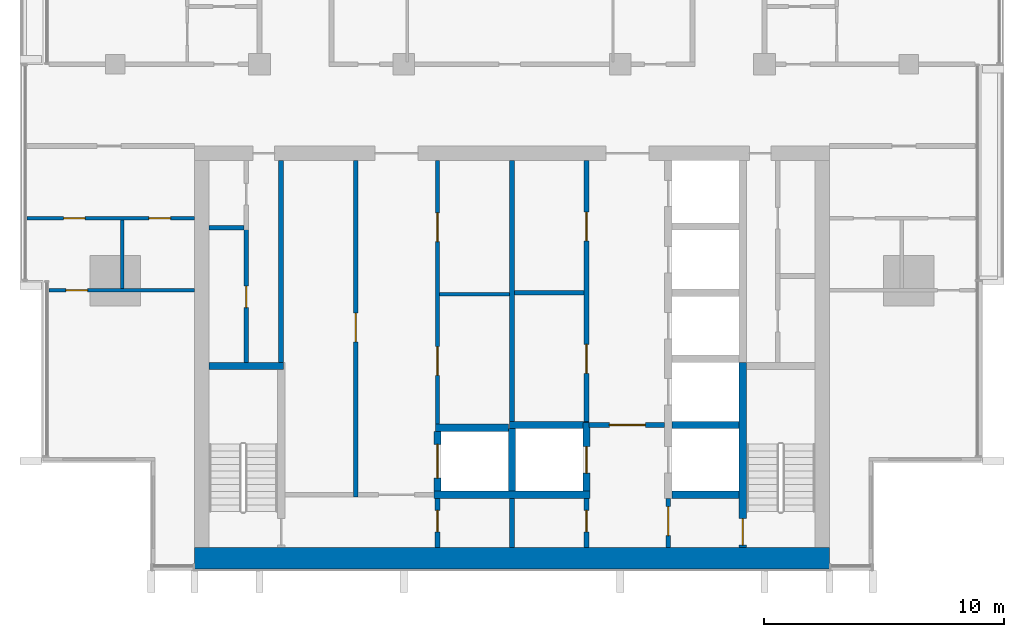
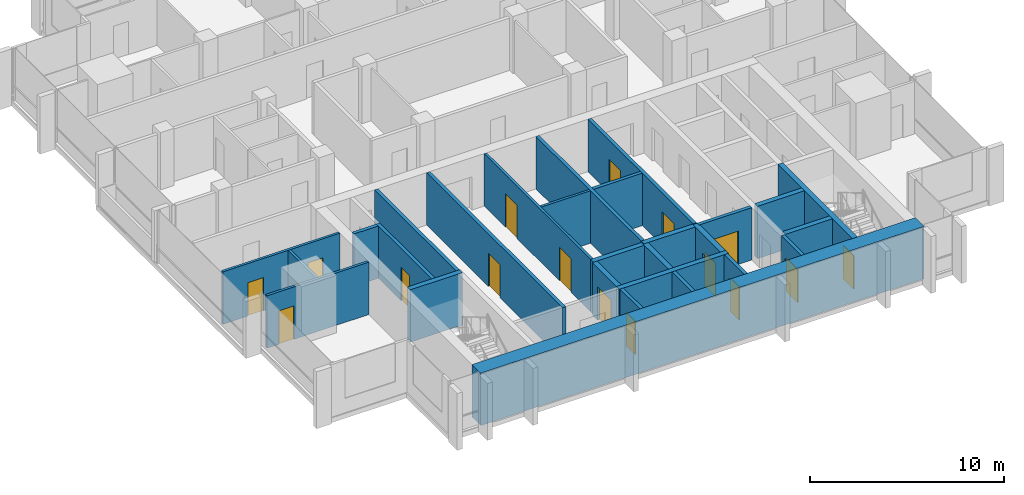
# One storey, part 7 of 16: 28 walls, 16 doors, 16 openings.
"""IFC4 building model written with IfcOpenShell, lengths in metres."""

from ifc_helpers import new_model, si_unit, direction, frame, frame_2d, origin, place, context, subcontext, project, spatial, rectangle, extrude, material, layer, layer_set, type_object, element, fill, save


model = new_model("IFC4")

# Units and contexts
model_context = context("Model", 3, precision=1e-05, world=origin(), true_north=direction((0.0, 1.0)))
body_context = subcontext(model_context, "Body", "Model", "MODEL_VIEW")
ifc_project = project(units=[si_unit("LENGTHUNIT", "METRE"), si_unit("AREAUNIT", "SQUARE_METRE"), si_unit("VOLUMEUNIT", "CUBIC_METRE"), si_unit("PLANEANGLEUNIT", "RADIAN"), si_unit("MASSUNIT", "GRAM", prefix="KILO")], contexts=[model_context])

# Site, building, storey
site_placement = place(None, origin())
site = spatial("IfcSite", under=ifc_project, at=site_placement, CompositionType="ELEMENT")
building_placement = place(site_placement, origin())
building = spatial("IfcBuilding", under=site, at=building_placement, Name="Finial Court Residences", CompositionType="ELEMENT")
storey_placement = place(building_placement, frame((0.0, 0.0, 241.10009765625)))
storey = spatial("IfcBuildingStorey", under=building, at=storey_placement, Name="L61", CompositionType="ELEMENT", Elevation=241.10009765625)

# Wall
ifc_material_1 = material(Name="Fire-rated gypsum board partition")
ifc_layer_1 = layer(ifc_material_1, 0.14990234375)
ifc_layer_set_1 = layer_set([ifc_layer_1], Name="Core room partition 150 EI 60")
wall_type_1 = type_object("IfcWallType", Name="Core room partition 150 EI 60", PredefinedType="PARTITIONING", material=ifc_layer_set_1)
wall_1_placement = place(storey_placement, frame((-3.02490234375, -14.06005859375, 0.0), z_axis=(0.0, 0.0, 1.0), x_axis=(1.0, 0.0, 0.0)))
element("IfcWall", 1, at=wall_1_placement, inside=storey, type_object=wall_type_1, Name="Core partition L61-12", PredefinedType="PARTITIONING", context=body_context, shape_type="SweptSolid", body=[
    extrude(rectangle(XDim=2.9248046875, YDim=0.14990234375, at=frame_2d((1.46240234375, 0.0))), origin(), (0.0, 0.0, 1.0), 3.2998046875),
])

# Wall, openings, doors
wall_2_placement = place(storey_placement, frame((-3.10009765625, -8.5, 0.0), z_axis=(0.0, 0.0, 1.0), x_axis=(0.0, -1.0, 0.0)))
wall_2 = element("IfcWall", 2, at=wall_2_placement, inside=storey, type_object=wall_type_1, Name="Core partition L61-25", PredefinedType="PARTITIONING", context=body_context, shape_type="SweptSolid", body=[
    extrude(rectangle(XDim=10.969970703125, YDim=0.14990234375, at=frame_2d((5.48486328125, 0.0))), origin(), (0.0, 0.0, 1.0), 3.2998046875),
])
opening_1_placement = place(wall_2_placement, frame((7.739990234375, 0.0, 0.0)))
opening_1 = element("IfcOpeningElement", 3, at=opening_1_placement, cuts=wall_2, Name="Opening L61-C17", PredefinedType="OPENING", context=body_context, shape_type="SweptSolid", body=[
    extrude(rectangle(XDim=1.199951171875, YDim=2.10009765625, at=frame_2d((0.60009765625, 1.050048828125))), frame((0.0, 0.0849609375, 0.0), z_axis=(0.0, -1.0, 0.0), x_axis=(1.0, 0.0, 0.0)), (0.0, 0.0, 1.0), 0.169921875),
])
opening_2_placement = place(wall_2_placement, frame((2.179931640625, 0.0, 0.0)))
opening_2 = element("IfcOpeningElement", 4, at=opening_2_placement, cuts=wall_2, Name="Opening L61-C18", PredefinedType="OPENING", context=body_context, shape_type="SweptSolid", body=[
    extrude(rectangle(XDim=1.199951171875, YDim=2.10009765625, at=frame_2d((0.60009765625, 1.050048828125))), frame((0.0, 0.0849609375, 0.0), z_axis=(0.0, -1.0, 0.0), x_axis=(1.0, 0.0, 0.0)), (0.0, 0.0, 1.0), 0.169921875),
])
ifc_material_2 = material(Name="Steel fire door", Category="steel")
door_type_1 = type_object("IfcDoorType", Name="Core room door 1200 x 2100 EI 60", OperationType="NOTDEFINED", PredefinedType="DOOR", material=ifc_material_2)
door_1_placement = place(opening_1_placement, origin())
door_1 = element("IfcDoor", 5, at=door_1_placement, inside=storey, type_object=door_type_1, Name="Core room door L61-C17", OperationType="SINGLE_SWING_LEFT", OverallHeight=2.10009765625, OverallWidth=1.199951171875, PredefinedType="DOOR", context=body_context, shape_type="SweptSolid", body=[
    extrude(rectangle(XDim=1.199951171875, YDim=2.10009765625, at=frame_2d((0.60009765625, 1.050048828125))), frame((0.0, 0.02490234375, 0.0), z_axis=(0.0, -1.0, 0.0), x_axis=(1.0, 0.0, 0.0)), (0.0, 0.0, 1.0), 0.050048828125),
])
fill(opening_1, door_1)
door_2_placement = place(opening_2_placement, origin())
door_2 = element("IfcDoor", 6, at=door_2_placement, inside=storey, type_object=door_type_1, Name="Core room door L61-C18", OperationType="SINGLE_SWING_LEFT", OverallHeight=2.10009765625, OverallWidth=1.199951171875, PredefinedType="DOOR", context=body_context, shape_type="SweptSolid", body=[
    extrude(rectangle(XDim=1.199951171875, YDim=2.10009765625, at=frame_2d((0.60009765625, 1.050048828125))), frame((0.0, 0.02490234375, 0.0), z_axis=(0.0, -1.0, 0.0), x_axis=(1.0, 0.0, 0.0)), (0.0, 0.0, 1.0), 0.050048828125),
])
fill(opening_2, door_2)

# Wall
ifc_material_3 = material(Name="Concrete C60/75", Category="concrete")
ifc_layer_2 = layer(ifc_material_3, 0.89990234375)
ifc_layer_set_2 = layer_set([ifc_layer_2], Name="Core south facade wall 900 Concrete C60/75")
wall_type_2 = type_object("IfcWallType", Name="Core south facade wall 900 Concrete C60/75", PredefinedType="SHEAR", material=ifc_layer_set_2)
wall_3_placement = place(storey_placement, frame((-13.199951171875, -25.050048828125, 0.0), z_axis=(0.0, 0.0, 1.0), x_axis=(1.0, 0.0, 0.0)))
element("IfcWall", 7, at=wall_3_placement, inside=storey, type_object=wall_type_2, Name="Core outer wall L61-01", PredefinedType="SHEAR", context=body_context, shape_type="SweptSolid", body=[
    extrude(rectangle(XDim=26.39990234375, YDim=0.89990234375, at=frame_2d((13.199951171875, 0.0))), origin(), (0.0, 0.0, 1.0), 3.2998046875),
])

# Wall, opening, door
ifc_layer_3 = layer(ifc_material_1, 0.199951171875)
ifc_layer_set_3 = layer_set([ifc_layer_3], Name="Firefighting lobby wall 200 EI 120")
wall_type_3 = type_object("IfcWallType", Name="Firefighting lobby wall 200 EI 120", PredefinedType="PARTITIONING", material=ifc_layer_set_3)
wall_4_placement = place(storey_placement, frame((6.35009765625, -19.5, 0.0), z_axis=(0.0, 0.0, 1.0), x_axis=(-1.0, 0.0, 0.0)))
wall_4 = element("IfcWall", 8, at=wall_4_placement, inside=storey, type_object=wall_type_3, Name="Core partition L61-07", PredefinedType="PARTITIONING", context=body_context, shape_type="SweptSolid", body=[
    extrude(rectangle(XDim=3.150146484375, YDim=0.199951171875, at=frame_2d((1.5751953125, 0.0))), origin(), (0.0, 0.0, 1.0), 3.2998046875),
])
opening_3_placement = place(wall_4_placement, frame((0.800048828125, 0.0, 0.0)))
opening_3 = element("IfcOpeningElement", 9, at=opening_3_placement, cuts=wall_4, Name="Opening L61-C02", PredefinedType="OPENING", context=body_context, shape_type="SweptSolid", body=[
    extrude(rectangle(XDim=1.5, YDim=2.10009765625, at=frame_2d((0.75, 1.050048828125))), frame((0.0, 0.10986328125, 0.0), z_axis=(0.0, -1.0, 0.0), x_axis=(1.0, 0.0, 0.0)), (0.0, 0.0, 1.0), 0.219970703125),
])
door_type_2 = type_object("IfcDoorType", Name="Firefighting lobby door 1500 x 2100 EI 90", OperationType="DOUBLE_DOOR_SINGLE_SWING", PredefinedType="DOOR", material=ifc_material_2)
door_3_placement = place(opening_3_placement, origin())
door_3 = element("IfcDoor", 10, at=door_3_placement, inside=storey, type_object=door_type_2, Name="Firefighting lobby door L61-C02", OperationType="DOUBLE_DOOR_SINGLE_SWING", OverallHeight=2.10009765625, OverallWidth=1.5, PredefinedType="DOOR", context=body_context, shape_type="SweptSolid", body=[
    extrude(rectangle(XDim=1.5, YDim=2.10009765625, at=frame_2d((0.75, 1.050048828125))), frame((0.0, 0.02490234375, 0.0), z_axis=(0.0, -1.0, 0.0), x_axis=(1.0, 0.0, 0.0)), (0.0, 0.0, 1.0), 0.050048828125),
])
fill(opening_3, door_3)

wall_5_placement = place(storey_placement, frame((3.10009765625, -24.60009765625, 0.0), z_axis=(0.0, 0.0, 1.0), x_axis=(0.0, 1.0, 0.0)))
wall_5 = element("IfcWall", 11, at=wall_5_placement, inside=storey, type_object=wall_type_3, Name="Core partition L61-29", PredefinedType="PARTITIONING", context=body_context, shape_type="SweptSolid", body=[
    extrude(rectangle(XDim=2.050048828125, YDim=0.199951171875, at=frame_2d((1.02490234375, 0.0))), origin(), (0.0, 0.0, 1.0), 3.2998046875),
])
opening_4_placement = place(wall_5_placement, frame((0.64990234375, 0.0, 0.0)))
opening_4 = element("IfcOpeningElement", 12, at=opening_4_placement, cuts=wall_5, Name="Opening L61-C06", PredefinedType="OPENING", context=body_context, shape_type="SweptSolid", body=[
    extrude(rectangle(XDim=0.89990234375, YDim=2.10009765625, at=frame_2d((0.449951171875, 1.050048828125))), frame((0.0, 0.10986328125, 0.0), z_axis=(0.0, -1.0, 0.0), x_axis=(1.0, 0.0, 0.0)), (0.0, 0.0, 1.0), 0.219970703125),
])
door_type_3 = type_object("IfcDoorType", Name="Riser room door 900 x 2100 EI 90", OperationType="NOTDEFINED", PredefinedType="DOOR", material=ifc_material_2)
door_4_placement = place(opening_4_placement, origin())
door_4 = element("IfcDoor", 13, at=door_4_placement, inside=storey, type_object=door_type_3, Name="Riser room door L61-C06", OperationType="SINGLE_SWING_LEFT", OverallHeight=2.10009765625, OverallWidth=0.89990234375, PredefinedType="DOOR", context=body_context, shape_type="SweptSolid", body=[
    extrude(rectangle(XDim=0.89990234375, YDim=2.10009765625, at=frame_2d((0.449951171875, 1.050048828125))), frame((0.0, 0.02490234375, 0.0), z_axis=(0.0, -1.0, 0.0), x_axis=(1.0, 0.0, 0.0)), (0.0, 0.0, 1.0), 0.050048828125),
])
fill(opening_4, door_4)

wall_6_placement = place(storey_placement, frame((6.5, -22.550048828125, 0.0), z_axis=(0.0, 0.0, 1.0), x_axis=(0.0, -1.0, 0.0)))
wall_6 = element("IfcWall", 14, at=wall_6_placement, inside=storey, type_object=wall_type_3, Name="Core partition L61-32", PredefinedType="PARTITIONING", context=body_context, shape_type="SweptSolid", body=[
    extrude(rectangle(XDim=2.050048828125, YDim=0.199951171875, at=frame_2d((1.02490234375, 0.0))), origin(), (0.0, 0.0, 1.0), 3.2998046875),
])
opening_5_placement = place(wall_6_placement, frame((0.35009765625, 0.0, 0.0)))
opening_5 = element("IfcOpeningElement", 15, at=opening_5_placement, cuts=wall_6, Name="Opening L61-C01", PredefinedType="OPENING", context=body_context, shape_type="SweptSolid", body=[
    extrude(rectangle(XDim=1.199951171875, YDim=2.10009765625, at=frame_2d((0.60009765625, 1.050048828125))), frame((0.0, 0.10986328125, 0.0), z_axis=(0.0, -1.0, 0.0), x_axis=(1.0, 0.0, 0.0)), (0.0, 0.0, 1.0), 0.219970703125),
])
door_type_4 = type_object("IfcDoorType", Name="Firefighting lobby door 1200 x 2100 EI 90", OperationType="NOTDEFINED", PredefinedType="DOOR", material=ifc_material_2)
door_5_placement = place(opening_5_placement, origin())
door_5 = element("IfcDoor", 16, at=door_5_placement, inside=storey, type_object=door_type_4, Name="Firefighting lobby door L61-C01", OperationType="SINGLE_SWING_RIGHT", OverallHeight=2.10009765625, OverallWidth=1.199951171875, PredefinedType="DOOR", context=body_context, shape_type="SweptSolid", body=[
    extrude(rectangle(XDim=1.199951171875, YDim=2.10009765625, at=frame_2d((0.60009765625, 1.050048828125))), frame((0.0, 0.02490234375, 0.0), z_axis=(0.0, -1.0, 0.0), x_axis=(1.0, 0.0, 0.0)), (0.0, 0.0, 1.0), 0.050048828125),
])
fill(opening_5, door_5)

ifc_material_4 = material(Name="Moisture-resistant gypsum board")
ifc_layer_4 = layer(ifc_material_4, 0.012451171875)
ifc_material_5 = material(Name="Mineral wool in light-gauge frame")
ifc_layer_5 = layer(ifc_material_5, 0.125)
ifc_layer_6 = layer(ifc_material_4, 0.012451171875)
ifc_layer_set_4 = layer_set([ifc_layer_4, ifc_layer_5, ifc_layer_6], Name="Gypsum board wet-area partition 150")
wall_type_4 = type_object("IfcWallType", Name="Gypsum board wet-area partition 150", PredefinedType="PARTITIONING", material=ifc_layer_set_4)
wall_7_placement = place(storey_placement, frame((-19.262451171875, -13.89990234375, 0.0), z_axis=(0.0, 0.0, 1.0), x_axis=(1.0, 0.0, 0.0)))
wall_7 = element("IfcWall", 17, at=wall_7_placement, inside=storey, type_object=wall_type_4, Name="Partition L61-000", PredefinedType="PARTITIONING", context=body_context, shape_type="SweptSolid", body=[
    extrude(rectangle(XDim=6.0625, YDim=0.14990234375, at=frame_2d((3.03125, 0.0))), origin(), (0.0, 0.0, 1.0), 3.2998046875),
])
opening_6_placement = place(wall_7_placement, frame((0.7119140625, 0.0, 0.0)))
opening_6 = element("IfcOpeningElement", 18, at=opening_6_placement, cuts=wall_7, Name="Opening L61-D001", PredefinedType="OPENING", context=body_context, shape_type="SweptSolid", body=[
    extrude(rectangle(XDim=0.89990234375, YDim=2.10009765625, at=frame_2d((0.449951171875, 1.050048828125))), frame((0.0, 0.0849609375, 0.0), z_axis=(0.0, -1.0, 0.0), x_axis=(1.0, 0.0, 0.0)), (0.0, 0.0, 1.0), 0.169921875),
])
ifc_material_6 = material(Name="Timber door leaf in timber frame", Category="wood")
door_type_5 = type_object("IfcDoorType", Name="Door set 900 x 2100", OperationType="SINGLE_SWING_LEFT", PredefinedType="DOOR", material=ifc_material_6)
door_6_placement = place(opening_6_placement, origin())
door_6 = element("IfcDoor", 19, at=door_6_placement, inside=storey, type_object=door_type_5, Name="Door L61-D001", OperationType="SINGLE_SWING_LEFT", OverallHeight=2.10009765625, OverallWidth=0.89990234375, PredefinedType="DOOR", context=body_context, shape_type="SweptSolid", body=[
    extrude(rectangle(XDim=0.89990234375, YDim=2.10009765625, at=frame_2d((0.449951171875, 1.050048828125))), frame((0.0, 0.02490234375, 0.0), z_axis=(0.0, -1.0, 0.0), x_axis=(1.0, 0.0, 0.0)), (0.0, 0.0, 1.0), 0.050048828125),
])
fill(opening_6, door_6)

# Wall, openings, doors
wall_8_placement = place(storey_placement, frame((-20.16259765625, -10.89990234375, 0.0), z_axis=(0.0, 0.0, 1.0), x_axis=(1.0, 0.0, 0.0)))
wall_8 = element("IfcWall", 20, at=wall_8_placement, inside=storey, type_object=wall_type_4, Name="Partition L61-002", PredefinedType="PARTITIONING", context=body_context, shape_type="SweptSolid", body=[
    extrude(rectangle(XDim=6.962646484375, YDim=0.14990234375, at=frame_2d((3.4814453125, 0.0))), origin(), (0.0, 0.0, 1.0), 3.2998046875),
])
opening_7_placement = place(wall_8_placement, frame((1.512939453125, 0.0, 0.0)))
opening_7 = element("IfcOpeningElement", 21, at=opening_7_placement, cuts=wall_8, Name="Opening L61-D003", PredefinedType="OPENING", context=body_context, shape_type="SweptSolid", body=[
    extrude(rectangle(XDim=0.89990234375, YDim=2.10009765625, at=frame_2d((0.449951171875, 1.050048828125))), frame((0.0, 0.0849609375, 0.0), z_axis=(0.0, -1.0, 0.0), x_axis=(1.0, 0.0, 0.0)), (0.0, 0.0, 1.0), 0.169921875),
])
opening_8_placement = place(wall_8_placement, frame((5.06298828125, 0.0, 0.0)))
opening_8 = element("IfcOpeningElement", 22, at=opening_8_placement, cuts=wall_8, Name="Opening L61-D004", PredefinedType="OPENING", context=body_context, shape_type="SweptSolid", body=[
    extrude(rectangle(XDim=0.89990234375, YDim=2.10009765625, at=frame_2d((0.449951171875, 1.050048828125))), frame((0.0, 0.0849609375, 0.0), z_axis=(0.0, -1.0, 0.0), x_axis=(1.0, 0.0, 0.0)), (0.0, 0.0, 1.0), 0.169921875),
])
door_7_placement = place(opening_7_placement, origin())
door_7 = element("IfcDoor", 23, at=door_7_placement, inside=storey, type_object=door_type_5, Name="Door L61-D003", OperationType="SINGLE_SWING_LEFT", OverallHeight=2.10009765625, OverallWidth=0.89990234375, PredefinedType="DOOR", context=body_context, shape_type="SweptSolid", body=[
    extrude(rectangle(XDim=0.89990234375, YDim=2.10009765625, at=frame_2d((0.449951171875, 1.050048828125))), frame((0.0, 0.02490234375, 0.0), z_axis=(0.0, -1.0, 0.0), x_axis=(1.0, 0.0, 0.0)), (0.0, 0.0, 1.0), 0.050048828125),
])
fill(opening_7, door_7)
door_8_placement = place(opening_8_placement, origin())
door_8 = element("IfcDoor", 24, at=door_8_placement, inside=storey, type_object=door_type_5, Name="Door L61-D004", OperationType="SINGLE_SWING_RIGHT", OverallHeight=2.10009765625, OverallWidth=0.89990234375, PredefinedType="DOOR", context=body_context, shape_type="SweptSolid", body=[
    extrude(rectangle(XDim=0.89990234375, YDim=2.10009765625, at=frame_2d((0.449951171875, 1.050048828125))), frame((0.0, 0.02490234375, 0.0), z_axis=(0.0, -1.0, 0.0), x_axis=(1.0, 0.0, 0.0)), (0.0, 0.0, 1.0), 0.050048828125),
])
fill(opening_8, door_8)

# Walls
wall_9_placement = place(storey_placement, frame((-16.199951171875, -13.824951171875, 0.0), z_axis=(0.0, 0.0, 1.0), x_axis=(0.0, 1.0, 0.0)))
element("IfcWall", 25, at=wall_9_placement, inside=storey, type_object=wall_type_4, Name="Partition L61-029", PredefinedType="PARTITIONING", context=body_context, shape_type="SweptSolid", body=[
    extrude(rectangle(XDim=2.849853515625, YDim=0.14990234375, at=frame_2d((1.4248046875, 0.0))), origin(), (0.0, 0.0, 1.0), 3.2998046875),
])
ifc_layer_7 = layer(ifc_material_3, 0.300048828125)
ifc_layer_set_5 = layer_set([ifc_layer_7], Name="Lift shaft and stair wall 300 Concrete C60/75")
wall_type_5 = type_object("IfcWallType", Name="Lift shaft and stair wall 300 Concrete C60/75", PredefinedType="SHEAR", material=ifc_layer_set_5)
wall_10_placement = place(storey_placement, frame((-3.25, -22.39990234375, 0.0), z_axis=(0.0, 0.0, 1.0), x_axis=(1.0, 0.0, 0.0)))
element("IfcWall", 26, at=wall_10_placement, inside=storey, type_object=wall_type_5, Name="Core wall L61-03", PredefinedType="SHEAR", context=body_context, shape_type="SweptSolid", body=[
    extrude(rectangle(XDim=6.5, YDim=0.300048828125, at=frame_2d((3.25, 0.0))), origin(), (0.0, 0.0, 1.0), 3.2998046875),
])
wall_11_placement = place(storey_placement, frame((6.64990234375, -22.39990234375, 0.0), z_axis=(0.0, 0.0, 1.0), x_axis=(1.0, 0.0, 0.0)))
element("IfcWall", 27, at=wall_11_placement, inside=storey, type_object=wall_type_5, Name="Core wall L61-04", PredefinedType="SHEAR", context=body_context, shape_type="SweptSolid", body=[
    extrude(rectangle(XDim=2.800048828125, YDim=0.300048828125, at=frame_2d((1.39990234375, 0.0))), origin(), (0.0, 0.0, 1.0), 3.2998046875),
])
wall_12_placement = place(storey_placement, frame((-3.175048828125, -19.6201171875, 0.0), z_axis=(0.0, 0.0, 1.0), x_axis=(1.0, 0.0, 0.0)))
element("IfcWall", 28, at=wall_12_placement, inside=storey, type_object=wall_type_5, Name="Core wall L61-05", PredefinedType="SHEAR", context=body_context, shape_type="SweptSolid", body=[
    extrude(rectangle(XDim=3.025146484375, YDim=0.300048828125, at=frame_2d((1.5126953125, 0.0))), origin(), (0.0, 0.0, 1.0), 3.2998046875),
])
wall_13_placement = place(storey_placement, frame((-0.10009765625, -19.5, 0.0), z_axis=(0.0, 0.0, 1.0), x_axis=(1.0, 0.0, 0.0)))
element("IfcWall", 29, at=wall_13_placement, inside=storey, type_object=wall_type_5, Name="Core wall L61-06", PredefinedType="SHEAR", context=body_context, shape_type="SweptSolid", body=[
    extrude(rectangle(XDim=3.300048828125, YDim=0.300048828125, at=frame_2d((1.64990234375, 0.0))), origin(), (0.0, 0.0, 1.0), 3.2998046875),
])
wall_14_placement = place(storey_placement, frame((6.64990234375, -19.5, 0.0), z_axis=(0.0, 0.0, 1.0), x_axis=(1.0, 0.0, 0.0)))
element("IfcWall", 30, at=wall_14_placement, inside=storey, type_object=wall_type_5, Name="Core wall L61-08", PredefinedType="SHEAR", context=body_context, shape_type="SweptSolid", body=[
    extrude(rectangle(XDim=2.800048828125, YDim=0.300048828125, at=frame_2d((1.39990234375, 0.0))), origin(), (0.0, 0.0, 1.0), 3.2998046875),
])
wall_15_placement = place(storey_placement, frame((-12.60009765625, -17.050048828125, 0.0), z_axis=(0.0, 0.0, 1.0), x_axis=(1.0, 0.0, 0.0)))
element("IfcWall", 31, at=wall_15_placement, inside=storey, type_object=wall_type_5, Name="Core wall L61-09", PredefinedType="SHEAR", context=body_context, shape_type="SweptSolid", body=[
    extrude(rectangle(XDim=3.10009765625, YDim=0.300048828125, at=frame_2d((1.550048828125, 0.0))), origin(), (0.0, 0.0, 1.0), 3.2998046875),
])

# Wall, opening, door
wall_16_placement = place(storey_placement, frame((-3.10009765625, -22.25, 0.0), z_axis=(0.0, 0.0, 1.0), x_axis=(0.0, 1.0, 0.0)))
wall_16 = element("IfcWall", 32, at=wall_16_placement, inside=storey, type_object=wall_type_5, Name="Core wall L61-24", PredefinedType="SHEAR", context=body_context, shape_type="SweptSolid", body=[
    extrude(rectangle(XDim=2.47998046875, YDim=0.300048828125, at=frame_2d((1.239990234375, 0.0))), origin(), (0.0, 0.0, 1.0), 3.2998046875),
])
opening_9_placement = place(wall_16_placement, frame((0.5400390625, 0.0, 0.0)))
opening_9 = element("IfcOpeningElement", 33, at=opening_9_placement, cuts=wall_16, Name="Opening L61-LD07", PredefinedType="OPENING", context=body_context, shape_type="SweptSolid", body=[
    extrude(rectangle(XDim=1.39990234375, YDim=2.10009765625, at=frame_2d((0.699951171875, 1.050048828125))), frame((0.0, 0.159912109375, 0.0), z_axis=(0.0, -1.0, 0.0), x_axis=(1.0, 0.0, 0.0)), (0.0, 0.0, 1.0), 0.320068359375),
])
ifc_material_7 = material(Name="Stainless steel lift door", Category="steel")
door_type_6 = type_object("IfcDoorType", Name="Lift landing door 1400 x 2100 EI 90", OperationType="DOUBLE_DOOR_SLIDING", PredefinedType="DOOR", material=ifc_material_7)
door_9_placement = place(opening_9_placement, origin())
door_9 = element("IfcDoor", 34, at=door_9_placement, inside=storey, type_object=door_type_6, Name="Lift landing door SV1 L61", OperationType="DOUBLE_DOOR_SLIDING", OverallHeight=2.10009765625, OverallWidth=1.39990234375, PredefinedType="DOOR", context=body_context, shape_type="SweptSolid", body=[
    extrude(rectangle(XDim=1.39990234375, YDim=2.10009765625, at=frame_2d((0.699951171875, 1.050048828125))), frame((0.0, 0.02490234375, 0.0), z_axis=(0.0, -1.0, 0.0), x_axis=(1.0, 0.0, 0.0)), (0.0, 0.0, 1.0), 0.050048828125),
])
fill(opening_9, door_9)

# Wall
wall_17_placement = place(storey_placement, frame((0.0, -22.25, 0.0), z_axis=(0.0, 0.0, 1.0), x_axis=(0.0, 1.0, 0.0)))
element("IfcWall", 35, at=wall_17_placement, inside=storey, type_object=wall_type_5, Name="Core wall L61-27", PredefinedType="SHEAR", context=body_context, shape_type="SweptSolid", body=[
    extrude(rectangle(XDim=2.60009765625, YDim=0.300048828125, at=frame_2d((1.300048828125, 0.0))), origin(), (0.0, 0.0, 1.0), 3.2998046875),
])

# Wall, opening, door
wall_18_placement = place(storey_placement, frame((3.10009765625, -22.25, 0.0), z_axis=(0.0, 0.0, 1.0), x_axis=(0.0, 1.0, 0.0)))
wall_18 = element("IfcWall", 36, at=wall_18_placement, inside=storey, type_object=wall_type_5, Name="Core wall L61-30", PredefinedType="SHEAR", context=body_context, shape_type="SweptSolid", body=[
    extrude(rectangle(XDim=2.85009765625, YDim=0.300048828125, at=frame_2d((1.425048828125, 0.0))), origin(), (0.0, 0.0, 1.0), 3.2998046875),
])
opening_10_placement = place(wall_18_placement, frame((0.75, 0.0, 0.0)))
opening_10 = element("IfcOpeningElement", 37, at=opening_10_placement, cuts=wall_18, Name="Opening L61-LD01", PredefinedType="OPENING", context=body_context, shape_type="SweptSolid", body=[
    extrude(rectangle(XDim=1.10009765625, YDim=2.10009765625, at=frame_2d((0.550048828125, 1.050048828125))), frame((0.0, 0.159912109375, 0.0), z_axis=(0.0, -1.0, 0.0), x_axis=(1.0, 0.0, 0.0)), (0.0, 0.0, 1.0), 0.320068359375),
])
door_type_7 = type_object("IfcDoorType", Name="Lift landing door 1100 x 2100 EI 90", OperationType="DOUBLE_DOOR_SLIDING", PredefinedType="DOOR", material=ifc_material_7)
door_10_placement = place(opening_10_placement, origin())
door_10 = element("IfcDoor", 38, at=door_10_placement, inside=storey, type_object=door_type_7, Name="Lift landing door FF1 L61", OperationType="DOUBLE_DOOR_SLIDING", OverallHeight=2.10009765625, OverallWidth=1.10009765625, PredefinedType="DOOR", context=body_context, shape_type="SweptSolid", body=[
    extrude(rectangle(XDim=1.10009765625, YDim=2.10009765625, at=frame_2d((0.550048828125, 1.050048828125))), frame((0.0, 0.02490234375, 0.0), z_axis=(0.0, -1.0, 0.0), x_axis=(1.0, 0.0, 0.0)), (0.0, 0.0, 1.0), 0.050048828125),
])
fill(opening_10, door_10)

wall_19_placement = place(storey_placement, frame((9.60009765625, -16.89990234375, 0.0), z_axis=(0.0, 0.0, 1.0), x_axis=(0.0, -1.0, 0.0)))
wall_19 = element("IfcWall", 39, at=wall_19_placement, inside=storey, type_object=wall_type_5, Name="Core wall L61-34", PredefinedType="SHEAR", context=body_context, shape_type="SweptSolid", body=[
    extrude(rectangle(XDim=7.7001953125, YDim=0.300048828125, at=frame_2d((3.85009765625, 0.0))), origin(), (0.0, 0.0, 1.0), 3.2998046875),
])
opening_11_placement = place(wall_19_placement, frame((6.5, 0.0, 0.0)))
opening_11 = element("IfcOpeningElement", 40, at=opening_11_placement, cuts=wall_19, Name="Opening L61-C20", PredefinedType="OPENING", context=body_context, shape_type="SweptSolid", body=[
    extrude(rectangle(XDim=1.10009765625, YDim=2.10009765625, at=frame_2d((0.550048828125, 1.050048828125))), frame((0.0, 0.159912109375, 0.0), z_axis=(0.0, -1.0, 0.0), x_axis=(1.0, 0.0, 0.0)), (0.0, 0.0, 1.0), 0.320068359375),
])
door_type_8 = type_object("IfcDoorType", Name="Stair door 1100 x 2100 EI 90", OperationType="NOTDEFINED", PredefinedType="DOOR", material=ifc_material_2)
door_11_placement = place(opening_11_placement, origin())
door_11 = element("IfcDoor", 41, at=door_11_placement, inside=storey, type_object=door_type_8, Name="Stair door L61-C20", OperationType="SINGLE_SWING_RIGHT", OverallHeight=2.10009765625, OverallWidth=1.10009765625, PredefinedType="DOOR", context=body_context, shape_type="SweptSolid", body=[
    extrude(rectangle(XDim=1.10009765625, YDim=2.10009765625, at=frame_2d((0.550048828125, 1.050048828125))), frame((0.0, 0.02490234375, 0.0), z_axis=(0.0, -1.0, 0.0), x_axis=(1.0, 0.0, 0.0)), (0.0, 0.0, 1.0), 0.050048828125),
])
fill(opening_11, door_11)

# Walls
ifc_layer_8 = layer(ifc_material_1, 0.199951171875)
ifc_layer_set_6 = layer_set([ifc_layer_8], Name="Riser room wall 200 EI 120")
wall_type_6 = type_object("IfcWallType", Name="Riser room wall 200 EI 120", PredefinedType="PARTITIONING", material=ifc_layer_set_6)
wall_20_placement = place(storey_placement, frame((0.10009765625, -14.0, 0.0), z_axis=(0.0, 0.0, 1.0), x_axis=(1.0, 0.0, 0.0)))
element("IfcWall", 42, at=wall_20_placement, inside=storey, type_object=wall_type_6, Name="Core partition L61-13", PredefinedType="PARTITIONING", context=body_context, shape_type="SweptSolid", body=[
    extrude(rectangle(XDim=2.89990234375, YDim=0.199951171875, at=frame_2d((1.449951171875, 0.0))), origin(), (0.0, 0.0, 1.0), 3.2998046875),
])
wall_21_placement = place(storey_placement, frame((-12.60009765625, -11.300048828125, 0.0), z_axis=(0.0, 0.0, 1.0), x_axis=(1.0, 0.0, 0.0)))
element("IfcWall", 43, at=wall_21_placement, inside=storey, type_object=wall_type_6, Name="Core partition L61-16", PredefinedType="PARTITIONING", context=body_context, shape_type="SweptSolid", body=[
    extrude(rectangle(XDim=1.4501953125, YDim=0.199951171875, at=frame_2d((0.72509765625, 0.0))), origin(), (0.0, 0.0, 1.0), 3.2998046875),
])
wall_22_placement = place(storey_placement, frame((-9.60009765625, -16.89990234375, 0.0), z_axis=(0.0, 0.0, 1.0), x_axis=(0.0, 1.0, 0.0)))
element("IfcWall", 44, at=wall_22_placement, inside=storey, type_object=wall_type_6, Name="Core partition L61-21", PredefinedType="PARTITIONING", context=body_context, shape_type="SweptSolid", body=[
    extrude(rectangle(XDim=8.39990234375, YDim=0.199951171875, at=frame_2d((4.199951171875, 0.0))), origin(), (0.0, 0.0, 1.0), 3.2998046875),
])

# Wall, opening, door
wall_23_placement = place(storey_placement, frame((-6.5, -22.5, 0.0), z_axis=(0.0, 0.0, 1.0), x_axis=(0.0, 1.0, 0.0)))
wall_23 = element("IfcWall", 45, at=wall_23_placement, inside=storey, type_object=wall_type_6, Name="Core partition L61-22", PredefinedType="PARTITIONING", context=body_context, shape_type="SweptSolid", body=[
    extrude(rectangle(XDim=14.0, YDim=0.199951171875, at=frame_2d((7.0, 0.0))), origin(), (0.0, 0.0, 1.0), 3.2998046875),
])
opening_12_placement = place(wall_23_placement, frame((6.449951171875, 0.0, 0.0)))
opening_12 = element("IfcOpeningElement", 46, at=opening_12_placement, cuts=wall_23, Name="Opening L61-C09", PredefinedType="OPENING", context=body_context, shape_type="SweptSolid", body=[
    extrude(rectangle(XDim=1.199951171875, YDim=2.10009765625, at=frame_2d((0.60009765625, 1.050048828125))), frame((0.0, 0.10986328125, 0.0), z_axis=(0.0, -1.0, 0.0), x_axis=(1.0, 0.0, 0.0)), (0.0, 0.0, 1.0), 0.219970703125),
])
door_type_9 = type_object("IfcDoorType", Name="Riser room door 1200 x 2100 EI 90", OperationType="NOTDEFINED", PredefinedType="DOOR", material=ifc_material_2)
door_12_placement = place(opening_12_placement, origin())
door_12 = element("IfcDoor", 47, at=door_12_placement, inside=storey, type_object=door_type_9, Name="Riser room door L61-C09", OperationType="SINGLE_SWING_LEFT", OverallHeight=2.10009765625, OverallWidth=1.199951171875, PredefinedType="DOOR", context=body_context, shape_type="SweptSolid", body=[
    extrude(rectangle(XDim=1.199951171875, YDim=2.10009765625, at=frame_2d((0.60009765625, 1.050048828125))), frame((0.0, 0.02490234375, 0.0), z_axis=(0.0, -1.0, 0.0), x_axis=(1.0, 0.0, 0.0)), (0.0, 0.0, 1.0), 0.050048828125),
])
fill(opening_12, door_12)

# Walls
wall_24_placement = place(storey_placement, frame((0.0, -24.60009765625, 0.0), z_axis=(0.0, 0.0, 1.0), x_axis=(0.0, 1.0, 0.0)))
element("IfcWall", 48, at=wall_24_placement, inside=storey, type_object=wall_type_6, Name="Core partition L61-26", PredefinedType="PARTITIONING", context=body_context, shape_type="SweptSolid", body=[
    extrude(rectangle(XDim=2.050048828125, YDim=0.199951171875, at=frame_2d((1.02490234375, 0.0))), origin(), (0.0, 0.0, 1.0), 3.2998046875),
])
wall_25_placement = place(storey_placement, frame((0.0, -19.35009765625, 0.0), z_axis=(0.0, 0.0, 1.0), x_axis=(0.0, 1.0, 0.0)))
element("IfcWall", 49, at=wall_25_placement, inside=storey, type_object=wall_type_6, Name="Core partition L61-28", PredefinedType="PARTITIONING", context=body_context, shape_type="SweptSolid", body=[
    extrude(rectangle(XDim=10.85009765625, YDim=0.199951171875, at=frame_2d((5.425048828125, 0.0))), origin(), (0.0, 0.0, 1.0), 3.2998046875),
])

# Wall, openings, doors
wall_26_placement = place(storey_placement, frame((3.10009765625, -19.60009765625, 0.0), z_axis=(0.0, 0.0, 1.0), x_axis=(0.0, 1.0, 0.0)))
wall_26 = element("IfcWall", 50, at=wall_26_placement, inside=storey, type_object=wall_type_6, Name="Core partition L61-31", PredefinedType="PARTITIONING", context=body_context, shape_type="SweptSolid", body=[
    extrude(rectangle(XDim=11.10009765625, YDim=0.199951171875, at=frame_2d((5.550048828125, 0.0))), origin(), (0.0, 0.0, 1.0), 3.2998046875),
])
opening_13_placement = place(wall_26_placement, frame((2.25, 0.0, 0.0)))
opening_13 = element("IfcOpeningElement", 51, at=opening_13_placement, cuts=wall_26, Name="Opening L61-C10", PredefinedType="OPENING", context=body_context, shape_type="SweptSolid", body=[
    extrude(rectangle(XDim=1.199951171875, YDim=2.10009765625, at=frame_2d((0.60009765625, 1.050048828125))), frame((0.0, 0.10986328125, 0.0), z_axis=(0.0, -1.0, 0.0), x_axis=(1.0, 0.0, 0.0)), (0.0, 0.0, 1.0), 0.219970703125),
])
opening_14_placement = place(wall_26_placement, frame((7.75, 0.0, 0.0)))
opening_14 = element("IfcOpeningElement", 52, at=opening_14_placement, cuts=wall_26, Name="Opening L61-C11", PredefinedType="OPENING", context=body_context, shape_type="SweptSolid", body=[
    extrude(rectangle(XDim=1.199951171875, YDim=2.10009765625, at=frame_2d((0.60009765625, 1.050048828125))), frame((0.0, 0.10986328125, 0.0), z_axis=(0.0, -1.0, 0.0), x_axis=(1.0, 0.0, 0.0)), (0.0, 0.0, 1.0), 0.219970703125),
])
door_13_placement = place(opening_13_placement, origin())
door_13 = element("IfcDoor", 53, at=door_13_placement, inside=storey, type_object=door_type_9, Name="Riser room door L61-C10", OperationType="SINGLE_SWING_LEFT", OverallHeight=2.10009765625, OverallWidth=1.199951171875, PredefinedType="DOOR", context=body_context, shape_type="SweptSolid", body=[
    extrude(rectangle(XDim=1.199951171875, YDim=2.10009765625, at=frame_2d((0.60009765625, 1.050048828125))), frame((0.0, 0.02490234375, 0.0), z_axis=(0.0, -1.0, 0.0), x_axis=(1.0, 0.0, 0.0)), (0.0, 0.0, 1.0), 0.050048828125),
])
fill(opening_13, door_13)
door_14_placement = place(opening_14_placement, origin())
door_14 = element("IfcDoor", 54, at=door_14_placement, inside=storey, type_object=door_type_9, Name="Riser room door L61-C11", OperationType="SINGLE_SWING_LEFT", OverallHeight=2.10009765625, OverallWidth=1.199951171875, PredefinedType="DOOR", context=body_context, shape_type="SweptSolid", body=[
    extrude(rectangle(XDim=1.199951171875, YDim=2.10009765625, at=frame_2d((0.60009765625, 1.050048828125))), frame((0.0, 0.02490234375, 0.0), z_axis=(0.0, -1.0, 0.0), x_axis=(1.0, 0.0, 0.0)), (0.0, 0.0, 1.0), 0.050048828125),
])
fill(opening_14, door_14)

# Wall, opening, door
ifc_layer_9 = layer(ifc_material_1, 0.199951171875)
ifc_layer_set_7 = layer_set([ifc_layer_9], Name="Stair passage wall 200 EI 180")
wall_type_7 = type_object("IfcWallType", Name="Stair passage wall 200 EI 180", PredefinedType="PARTITIONING", material=ifc_layer_set_7)
wall_27_placement = place(storey_placement, frame((-11.050048828125, -16.89990234375, 0.0), z_axis=(0.0, 0.0, 1.0), x_axis=(0.0, 1.0, 0.0)))
wall_27 = element("IfcWall", 55, at=wall_27_placement, inside=storey, type_object=wall_type_7, Name="Core partition L61-18", PredefinedType="PARTITIONING", context=body_context, shape_type="SweptSolid", body=[
    extrude(rectangle(XDim=5.699951171875, YDim=0.199951171875, at=frame_2d((2.85009765625, 0.0))), origin(), (0.0, 0.0, 1.0), 3.2998046875),
])
opening_15_placement = place(wall_27_placement, frame((2.27490234375, 0.0, 0.0)))
opening_15 = element("IfcOpeningElement", 56, at=opening_15_placement, cuts=wall_27, Name="Opening L61-C15", PredefinedType="OPENING", context=body_context, shape_type="SweptSolid", body=[
    extrude(rectangle(XDim=0.89990234375, YDim=2.10009765625, at=frame_2d((0.449951171875, 1.050048828125))), frame((0.0, 0.10986328125, 0.0), z_axis=(0.0, -1.0, 0.0), x_axis=(1.0, 0.0, 0.0)), (0.0, 0.0, 1.0), 0.219970703125),
])
door_type_10 = type_object("IfcDoorType", Name="Core room door 900 x 2100 EI 60", OperationType="NOTDEFINED", PredefinedType="DOOR", material=ifc_material_2)
door_15_placement = place(opening_15_placement, origin())
door_15 = element("IfcDoor", 57, at=door_15_placement, inside=storey, type_object=door_type_10, Name="Core room door L61-C15", OperationType="SINGLE_SWING_LEFT", OverallHeight=2.10009765625, OverallWidth=0.89990234375, PredefinedType="DOOR", context=body_context, shape_type="SweptSolid", body=[
    extrude(rectangle(XDim=0.89990234375, YDim=2.10009765625, at=frame_2d((0.449951171875, 1.050048828125))), frame((0.0, 0.02490234375, 0.0), z_axis=(0.0, -1.0, 0.0), x_axis=(1.0, 0.0, 0.0)), (0.0, 0.0, 1.0), 0.050048828125),
])
fill(opening_15, door_15)

wall_28_placement = place(storey_placement, frame((-3.10009765625, -22.550048828125, 0.0), z_axis=(0.0, 0.0, 1.0), x_axis=(0.0, -1.0, 0.0)))
wall_28 = element("IfcWall", 58, at=wall_28_placement, inside=storey, type_object=wall_type_7, Name="Core partition L61-23", PredefinedType="PARTITIONING", context=body_context, shape_type="SweptSolid", body=[
    extrude(rectangle(XDim=2.050048828125, YDim=0.199951171875, at=frame_2d((1.02490234375, 0.0))), origin(), (0.0, 0.0, 1.0), 3.2998046875),
])
opening_16_placement = place(wall_28_placement, frame((0.5, 0.0, 0.0)))
opening_16 = element("IfcOpeningElement", 59, at=opening_16_placement, cuts=wall_28, Name="Opening L61-C14", PredefinedType="OPENING", context=body_context, shape_type="SweptSolid", body=[
    extrude(rectangle(XDim=0.89990234375, YDim=2.10009765625, at=frame_2d((0.449951171875, 1.050048828125))), frame((0.0, 0.10986328125, 0.0), z_axis=(0.0, -1.0, 0.0), x_axis=(1.0, 0.0, 0.0)), (0.0, 0.0, 1.0), 0.219970703125),
])
door_16_placement = place(opening_16_placement, origin())
door_16 = element("IfcDoor", 60, at=door_16_placement, inside=storey, type_object=door_type_10, Name="Core room door L61-C14", OperationType="SINGLE_SWING_RIGHT", OverallHeight=2.10009765625, OverallWidth=0.89990234375, PredefinedType="DOOR", context=body_context, shape_type="SweptSolid", body=[
    extrude(rectangle(XDim=0.89990234375, YDim=2.10009765625, at=frame_2d((0.449951171875, 1.050048828125))), frame((0.0, 0.02490234375, 0.0), z_axis=(0.0, -1.0, 0.0), x_axis=(1.0, 0.0, 0.0)), (0.0, 0.0, 1.0), 0.050048828125),
])
fill(opening_16, door_16)

save(model, "model.ifc")
